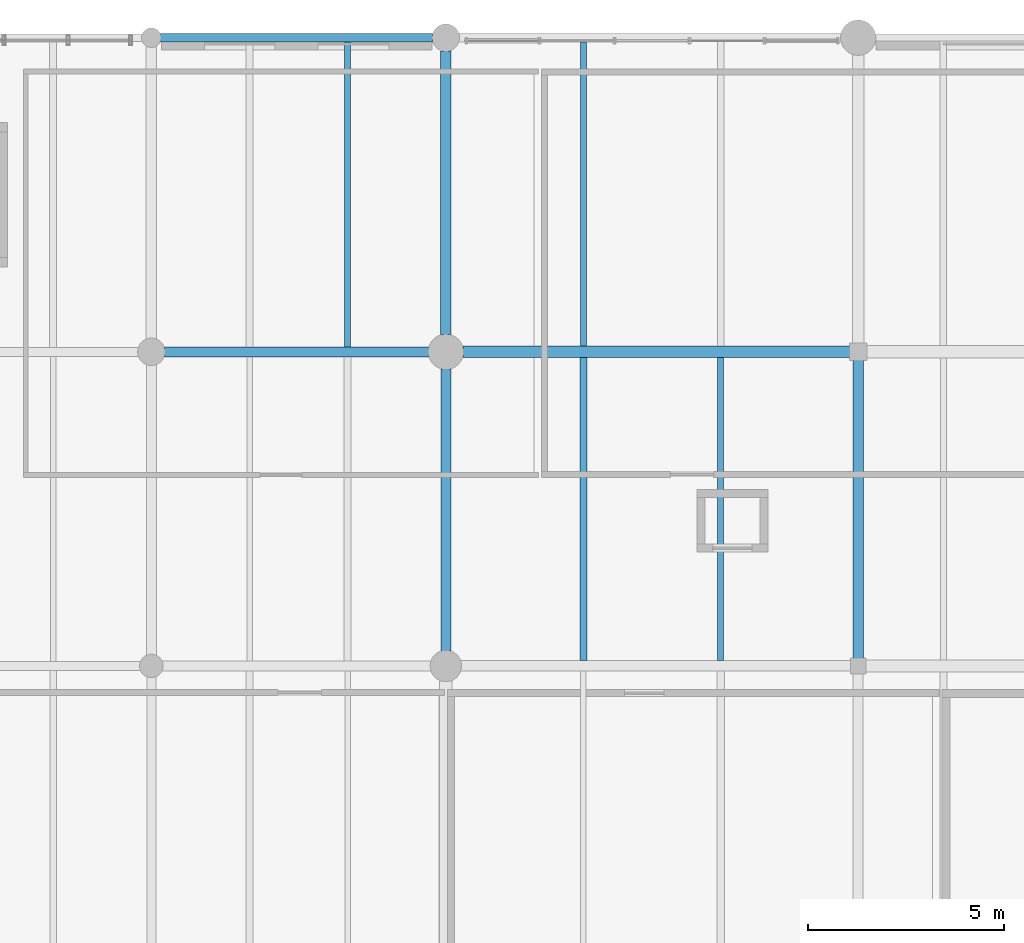
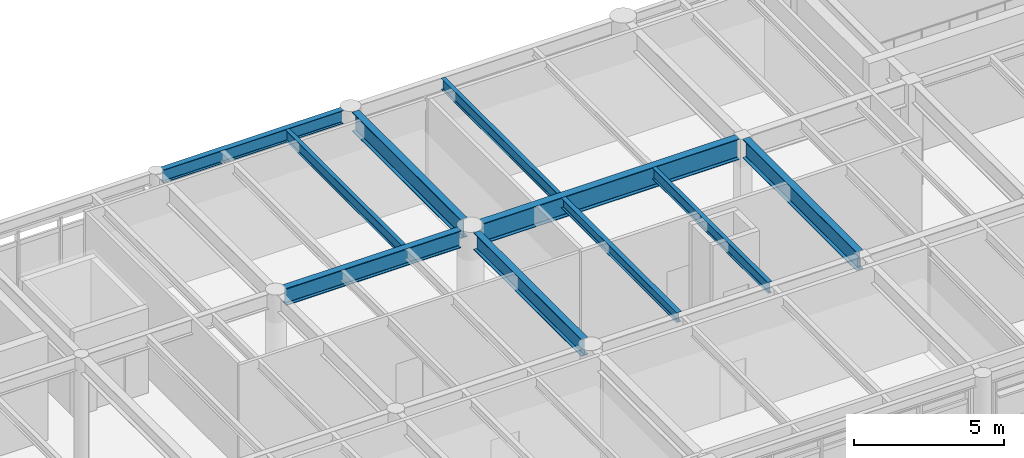
# One storey, part 80 of 168: 10 beams.
"""IFC4 building model written with IfcOpenShell, lengths in metres."""

from ifc_helpers import new_model, si_unit, direction, frame, origin, origin_2d, place, context, subcontext, project, spatial, i_section, extrude, material, material_profile, profile_set, type_object, element, save


model = new_model("IFC4")

# Units and contexts
model_context = context("Model", 3, precision=1e-05, world=origin(), true_north=direction((0.0, 1.0)))
body_context = subcontext(model_context, "Body", "Model", "MODEL_VIEW")
ifc_project = project(units=[si_unit("LENGTHUNIT", "METRE"), si_unit("AREAUNIT", "SQUARE_METRE"), si_unit("VOLUMEUNIT", "CUBIC_METRE"), si_unit("PLANEANGLEUNIT", "RADIAN"), si_unit("MASSUNIT", "GRAM", prefix="KILO"), si_unit("THERMODYNAMICTEMPERATUREUNIT", "KELVIN"), si_unit("POWERUNIT", "WATT")], contexts=[model_context])

# Site, building, storey
site_placement = place(None, origin())
site = spatial("IfcSite", under=ifc_project, at=site_placement, CompositionType="ELEMENT")
building_placement = place(site_placement, origin())
building = spatial("IfcBuilding", under=site, at=building_placement, Name="Tepalcoro Natatorium and Aquatics Centre", CompositionType="ELEMENT")
storey_placement = place(building_placement, frame((0.0, 0.0, 10.199951171875)))
storey = spatial("IfcBuildingStorey", under=building, at=storey_placement, Name="L02", CompositionType="ELEMENT", Elevation=10.199951171875)

# Beams
ifc_material = material(Name="Steel ASTM A992 Grade 50 (Fy 345 MPa)", Category="steel")
ifc_material_profile_1 = material_profile(ifc_material, i_section(OverallWidth=0.25390625, OverallDepth=0.700927734375, WebThickness=0.014892578125, FlangeThickness=0.028076171875, FilletRadius=0.013916015625, at=origin_2d()), Name="W27X129")
ifc_profile_set_1 = profile_set([ifc_material_profile_1], Name="Steel ASTM A992 Grade 50 (Fy 345 MPa)")
beam_type_1 = type_object("IfcBeamType", Name="BM_W27x129", PredefinedType="BEAM", material=ifc_profile_set_1)
beam_1_placement = place(storey_placement, frame((28.8349609375, 110.0, 3.884521484375), z_axis=(1.0, 0.0, 0.0), x_axis=(0.0, 1.0, 0.0)))
element("IfcBeam", 1, at=beam_1_placement, inside=storey, type_object=beam_type_1, Name="V4 L02 Grid Girder X", PredefinedType="BEAM", context=body_context, shape_type="SweptSolid", body=[
    extrude(i_section(OverallWidth=0.25390625, OverallDepth=0.700927734375, WebThickness=0.014892578125, FlangeThickness=0.028076171875, FilletRadius=0.013916015625, at=origin_2d()), origin(), (0.0, 0.0, 1.0), 6.72998046875),
])
beam_2_placement = place(storey_placement, frame((36.0, 102.385009765625, 3.884521484375), z_axis=(0.0, 1.0, 0.0), x_axis=(-1.0, 0.0, 0.0)))
element("IfcBeam", 2, at=beam_2_placement, inside=storey, type_object=beam_type_1, Name="V4 L02 Grid Girder Y", PredefinedType="BEAM", context=body_context, shape_type="SweptSolid", body=[
    extrude(i_section(OverallWidth=0.25390625, OverallDepth=0.700927734375, WebThickness=0.014892578125, FlangeThickness=0.028076171875, FilletRadius=0.013916015625, at=origin_2d()), origin(), (0.0, 0.0, 1.0), 7.179931640625),
])
ifc_material_profile_2 = material_profile(ifc_material, i_section(OverallWidth=0.26708984375, OverallDepth=0.761962890625, WebThickness=0.013916015625, FlangeThickness=0.02197265625, FilletRadius=0.013916015625, at=origin_2d()), Name="W30X116")
ifc_profile_set_2 = profile_set([ifc_material_profile_2], Name="Steel ASTM A992 Grade 50 (Fy 345 MPa)")
beam_type_2 = type_object("IfcBeamType", Name="BM_W30x116", PredefinedType="BEAM", material=ifc_profile_set_2)
beam_3_placement = place(storey_placement, frame((46.5, 102.18505859375, 3.85400390625), z_axis=(0.0, 1.0, 0.0), x_axis=(-1.0, 0.0, 0.0)))
element("IfcBeam", 3, at=beam_3_placement, inside=storey, type_object=beam_type_2, Name="V4 L02 Grid Girder Y", PredefinedType="BEAM", context=body_context, shape_type="SweptSolid", body=[
    extrude(i_section(OverallWidth=0.26708984375, OverallDepth=0.761962890625, WebThickness=0.013916015625, FlangeThickness=0.02197265625, FilletRadius=0.013916015625, at=origin_2d()), origin(), (0.0, 0.0, 1.0), 7.60498046875),
])
ifc_material_profile_3 = material_profile(ifc_material, i_section(OverallWidth=0.26708984375, OverallDepth=0.780029296875, WebThickness=0.01708984375, FlangeThickness=0.030029296875, FilletRadius=0.013916015625, at=origin_2d()), Name="W30X148")
ifc_profile_set_3 = profile_set([ifc_material_profile_3], Name="Steel ASTM A992 Grade 50 (Fy 345 MPa)")
beam_type_3 = type_object("IfcBeamType", Name="BM_W30x148", PredefinedType="BEAM", material=ifc_profile_set_3)
beam_4_placement = place(storey_placement, frame((36.0, 110.43505859375, 3.844970703125), z_axis=(0.0, 1.0, 0.0), x_axis=(-1.0, 0.0, 0.0)))
element("IfcBeam", 4, at=beam_4_placement, inside=storey, type_object=beam_type_3, Name="V4 L02 Grid Girder Y", PredefinedType="BEAM", context=body_context, shape_type="SweptSolid", body=[
    extrude(i_section(OverallWidth=0.26708984375, OverallDepth=0.780029296875, WebThickness=0.01708984375, FlangeThickness=0.030029296875, FilletRadius=0.013916015625, at=origin_2d()), origin(), (0.0, 0.0, 1.0), 7.22998046875),
])
ifc_material_profile_4 = material_profile(ifc_material, i_section(OverallWidth=0.2919921875, OverallDepth=0.845947265625, WebThickness=0.014892578125, FlangeThickness=0.02392578125, FilletRadius=0.013916015625, at=origin_2d()), Name="W33X141")
ifc_profile_set_4 = profile_set([ifc_material_profile_4], Name="Steel ASTM A992 Grade 50 (Fy 345 MPa)")
beam_type_4 = type_object("IfcBeamType", Name="BM_W33x141", PredefinedType="BEAM", material=ifc_profile_set_4)
beam_5_placement = place(storey_placement, frame((36.43505859375, 110.0, 3.81201171875), z_axis=(1.0, 0.0, 0.0), x_axis=(0.0, 1.0, 0.0)))
element("IfcBeam", 5, at=beam_5_placement, inside=storey, type_object=beam_type_4, Name="V4 L02 Grid Girder X", PredefinedType="BEAM", context=body_context, shape_type="SweptSolid", body=[
    extrude(i_section(OverallWidth=0.2919921875, OverallDepth=0.845947265625, WebThickness=0.014892578125, FlangeThickness=0.02392578125, FilletRadius=0.013916015625, at=origin_2d()), origin(), (0.0, 0.0, 1.0), 9.85498046875),
])
ifc_material_profile_5 = material_profile(ifc_material, i_section(OverallWidth=0.178955078125, OverallDepth=0.409912109375, WebThickness=0.009033203125, FlangeThickness=0.013916015625, FilletRadius=0.013916015625, at=origin_2d()), Name="W16X45")
ifc_profile_set_5 = profile_set([ifc_material_profile_5], Name="Steel ASTM A992 Grade 50 (Fy 345 MPa)")
beam_type_5 = type_object("IfcBeamType", Name="JS_W16x45", PredefinedType="JOIST", material=ifc_profile_set_5)
beam_6_placement = place(storey_placement, frame((39.5, 102.133544921875, 4.030029296875), z_axis=(0.0, 1.0, 0.0), x_axis=(-1.0, 0.0, 0.0)))
element("IfcBeam", 6, at=beam_6_placement, inside=storey, type_object=beam_type_5, Name="V4 L02 Floor Joist", PredefinedType="JOIST", context=body_context, shape_type="SweptSolid", body=[
    extrude(i_section(OverallWidth=0.178955078125, OverallDepth=0.409912109375, WebThickness=0.009033203125, FlangeThickness=0.013916015625, FilletRadius=0.013916015625, at=origin_2d()), origin(), (0.0, 0.0, 1.0), 7.720458984375),
])
ifc_material_profile_6 = material_profile(ifc_material, i_section(OverallWidth=0.153076171875, OverallDepth=0.455078125, WebThickness=0.008056640625, FlangeThickness=0.012939453125, FilletRadius=0.013916015625, at=origin_2d()), Name="W18X40")
ifc_profile_set_6 = profile_set([ifc_material_profile_6], Name="Steel ASTM A992 Grade 50 (Fy 345 MPa)")
beam_type_6 = type_object("IfcBeamType", Name="JS_W18x40", PredefinedType="JOIST", material=ifc_profile_set_6)
beam_7_placement = place(storey_placement, frame((33.5, 110.126953125, 4.007568359375), z_axis=(0.0, 1.0, 0.0), x_axis=(-1.0, 0.0, 0.0)))
element("IfcBeam", 7, at=beam_7_placement, inside=storey, type_object=beam_type_6, Name="V4 L02 Floor Joist", PredefinedType="JOIST", context=body_context, shape_type="SweptSolid", body=[
    extrude(i_section(OverallWidth=0.153076171875, OverallDepth=0.455078125, WebThickness=0.008056640625, FlangeThickness=0.012939453125, FilletRadius=0.013916015625, at=origin_2d()), origin(), (0.0, 0.0, 1.0), 7.76806640625),
])
beam_8_placement = place(storey_placement, frame((43.0, 102.133544921875, 4.007568359375), z_axis=(0.0, 1.0, 0.0), x_axis=(-1.0, 0.0, 0.0)))
element("IfcBeam", 8, at=beam_8_placement, inside=storey, type_object=beam_type_6, Name="V4 L02 Floor Joist", PredefinedType="JOIST", context=body_context, shape_type="SweptSolid", body=[
    extrude(i_section(OverallWidth=0.153076171875, OverallDepth=0.455078125, WebThickness=0.008056640625, FlangeThickness=0.012939453125, FilletRadius=0.013916015625, at=origin_2d()), origin(), (0.0, 0.0, 1.0), 7.720458984375),
])
beam_9_placement = place(storey_placement, frame((39.5, 110.14599609375, 4.007568359375), z_axis=(0.0, 1.0, 0.0), x_axis=(-1.0, 0.0, 0.0)))
element("IfcBeam", 9, at=beam_9_placement, inside=storey, type_object=beam_type_6, Name="V4 L02 Floor Joist", PredefinedType="JOIST", context=body_context, shape_type="SweptSolid", body=[
    extrude(i_section(OverallWidth=0.153076171875, OverallDepth=0.455078125, WebThickness=0.008056640625, FlangeThickness=0.012939453125, FilletRadius=0.013916015625, at=origin_2d()), origin(), (0.0, 0.0, 1.0), 7.739501953125),
])
ifc_material_profile_7 = material_profile(ifc_material, i_section(OverallWidth=0.2099609375, OverallDepth=0.535888671875, WebThickness=0.010986328125, FlangeThickness=0.01708984375, FilletRadius=0.013916015625, at=origin_2d()), Name="W21X68")
ifc_profile_set_7 = profile_set([ifc_material_profile_7], Name="Steel ASTM A992 Grade 50 (Fy 345 MPa)")
beam_type_7 = type_object("IfcBeamType", Name="SP_W21x68", PredefinedType="SPANDREL", material=ifc_profile_set_7)
beam_10_placement = place(storey_placement, frame((28.735107421875, 118.0, 3.967041015625), z_axis=(1.0, 0.0, 0.0), x_axis=(0.0, 1.0, 0.0)))
element("IfcBeam", 10, at=beam_10_placement, inside=storey, type_object=beam_type_7, Name="V4 L02 Grid Girder X", PredefinedType="SPANDREL", context=body_context, shape_type="SweptSolid", body=[
    extrude(i_section(OverallWidth=0.2099609375, OverallDepth=0.535888671875, WebThickness=0.010986328125, FlangeThickness=0.01708984375, FilletRadius=0.013916015625, at=origin_2d()), origin(), (0.0, 0.0, 1.0), 6.929931640625),
])

save(model, "model.ifc")
